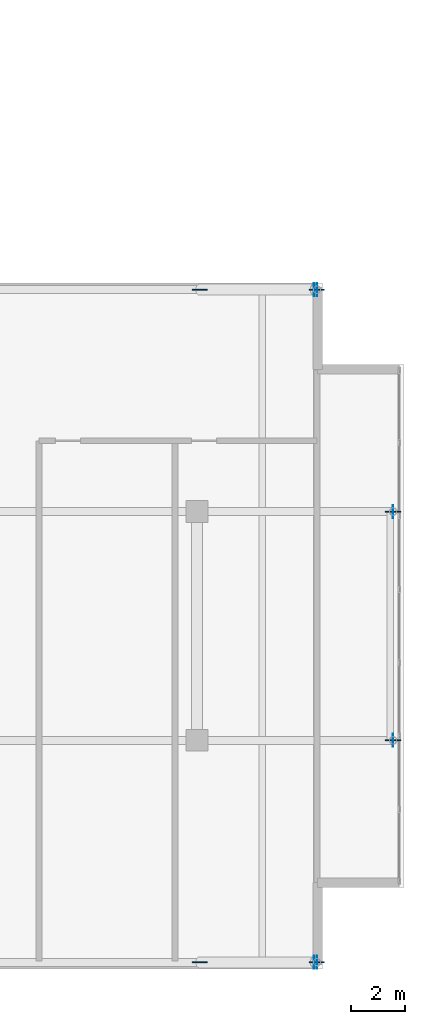
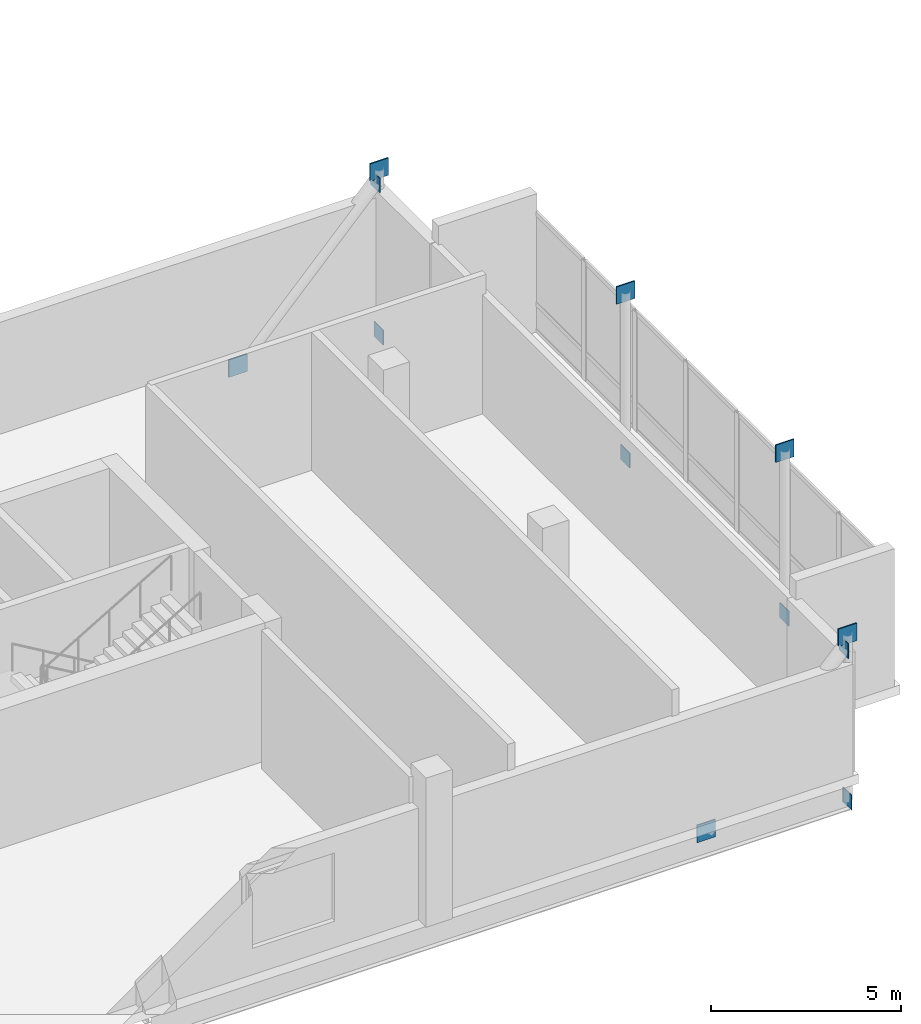
# One storey, part 9 of 18: 12 plates.
"""IFC4 building model written with IfcOpenShell, lengths in metres."""

import ifcopenshell
import ifcopenshell.guid

model = None  # the IFC model being written
_history = None  # IfcOwnerHistory: only IFC2X3 demands one
_inside = {}  # id of a spatial element -> (the spatial element, [elements in it])
_under = {}  # id of a project, library or spatial element -> (it, [spatial elements below it])
_declared = {}  # id of a project -> (the project, [libraries it declares])
_typed = {}  # id of a type object -> (the type object, [elements of that type])
_made_of = {}  # id of a material, layer set ... -> (it, [elements and type objects made of it])


def new_model(schema):
    """Start an empty IFC model of exactly this schema.

    Asked for "IFC4X3", IfcOpenShell would pick the latest addendum, in which some entities
    have other attributes; the version numbers below select the first issue.
    IFC2X3 requires an IfcOwnerHistory on every rooted entity: one is made here for all.
    """
    global model, _history
    if schema == "IFC4X3":
        model = ifcopenshell.file(schema_version=(4, 3, 0, 0))
    else:
        model = ifcopenshell.file(schema=schema)
    _inside.clear()
    _under.clear()
    _declared.clear()
    _typed.clear()
    _made_of.clear()
    _history = None
    if model.schema == "IFC2X3":
        org = make("IfcOrganization", Name="unknown")
        user = make(
            "IfcPersonAndOrganization",
            ThePerson=make("IfcPerson", FamilyName="unknown"),
            TheOrganization=org,
        )
        app = make(
            "IfcApplication",
            ApplicationDeveloper=org,
            Version="unknown",
            ApplicationFullName="unknown",
            ApplicationIdentifier="unknown",
        )
        _history = make(
            "IfcOwnerHistory",
            OwningUser=user,
            OwningApplication=app,
            ChangeAction="ADDED",
            CreationDate=0,
        )
    return model


def make(cls, **values):
    """One entity of the class cls with the attributes given. An attribute that is None is left unset."""
    return model.create_entity(
        cls, **{name: value for name, value in values.items() if value is not None}
    )


def rooted(cls, **values):
    """An entity with a GlobalId (a new one), such as an element, a storey or a relation."""
    return make(cls, GlobalId=ifcopenshell.guid.new(), OwnerHistory=_history, **values)


def si_unit(unit_type, name, prefix=None):
    """IfcSIUnit, for example si_unit("LENGTHUNIT", "METRE", prefix="MILLI")."""
    return make("IfcSIUnit", UnitType=unit_type, Prefix=prefix, Name=name)


def assignment(units):
    """IfcUnitAssignment: the units of a project."""
    return None if units is None else make("IfcUnitAssignment", Units=units)


def point(xyz):
    """IfcCartesianPoint."""
    return None if xyz is None else make("IfcCartesianPoint", Coordinates=xyz)


def direction(xyz):
    """IfcDirection."""
    return None if xyz is None else make("IfcDirection", DirectionRatios=xyz)


def frame(location, z_axis=None, x_axis=None):
    """IfcAxis2Placement3D, a coordinate frame: its origin and axes. An axis left out is left unset."""
    return make(
        "IfcAxis2Placement3D",
        Location=point(location),
        Axis=direction(z_axis),
        RefDirection=direction(x_axis),
    )


def frame_2d(location, x_axis=None):
    """IfcAxis2Placement2D, a coordinate frame in the plane: its origin and x axis."""
    return make(
        "IfcAxis2Placement2D", Location=point(location), RefDirection=direction(x_axis)
    )


def origin():
    """The frame at (0, 0, 0) with its axes left unset."""
    return frame((0.0, 0.0, 0.0))


def origin_2d():
    """The frame at (0, 0) in the plane with its x axis left unset."""
    return frame_2d((0.0, 0.0))


def place(relative_to, where):
    """IfcLocalPlacement: puts the frame where relative to a parent placement (None: the world)."""
    return make(
        "IfcLocalPlacement", PlacementRelTo=relative_to, RelativePlacement=where
    )


def context(
    kind, dimensions, precision=None, world=None, true_north=None, identifier=None
):
    """IfcGeometricRepresentationContext, for example the 3D "Model" context."""
    return make(
        "IfcGeometricRepresentationContext",
        ContextIdentifier=identifier,
        ContextType=kind,
        CoordinateSpaceDimension=dimensions,
        Precision=precision,
        WorldCoordinateSystem=world,
        TrueNorth=true_north,
    )


def subcontext(parent, identifier, kind, view, scale=None):
    """IfcGeometricRepresentationSubContext, for example "Body" below "Model"."""
    return make(
        "IfcGeometricRepresentationSubContext",
        ContextIdentifier=identifier,
        ContextType=kind,
        ParentContext=parent,
        TargetScale=scale,
        TargetView=view,
    )


def project(units=None, contexts=None):
    """IfcProject with its units and contexts."""
    return rooted(
        "IfcProject",
        Name="project",
        RepresentationContexts=contexts,
        UnitsInContext=assignment(units),
    )


def spatial(cls, under=None, at=None, **own):
    """A site, building, storey or space (cls), placed at a placement, below another one or the project."""
    s = rooted(cls, ObjectPlacement=at, **own)
    if under is not None:
        _under.setdefault(under.id(), (under, []))[1].append(s)
    return s


def profile(cls, at=None, kind="AREA", **sizes):
    """A parametric profile (cls). Its sizes go by their IFC names, for example OverallWidth=200.0."""
    return make(cls, ProfileType=kind, Position=at, **sizes)


def rectangle(**sizes):
    """IfcRectangleProfileDef."""
    return profile("IfcRectangleProfileDef", **sizes)


def extrude(swept, where, along, depth):
    """IfcExtrudedAreaSolid: the profile swept, set in the frame where, extruded along a direction by depth."""
    return make(
        "IfcExtrudedAreaSolid",
        SweptArea=swept,
        Position=where,
        ExtrudedDirection=direction(along),
        Depth=depth,
    )


def shape(context_of_items, identifier, shape_type, items):
    """IfcShapeRepresentation: the items that make up one representation, for example the "Body"."""
    return make(
        "IfcShapeRepresentation",
        ContextOfItems=context_of_items,
        RepresentationIdentifier=identifier,
        RepresentationType=shape_type,
        Items=items,
    )


def material(Name=None, Category=None):
    """IfcMaterial."""
    return make("IfcMaterial", Name=Name, Category=Category)


def layer(
    of_material, thickness, ventilated=None, Name=None, Category=None, Priority=None
):
    """IfcMaterialLayer: one layer of a wall or slab, of a material (None: an air gap)."""
    return make(
        "IfcMaterialLayer",
        Material=of_material,
        LayerThickness=thickness,
        IsVentilated=ventilated,
        Name=Name,
        Category=Category,
        Priority=Priority,
    )


def layer_set(layers, Name=None):
    """IfcMaterialLayerSet."""
    return make("IfcMaterialLayerSet", MaterialLayers=layers, LayerSetName=Name)


def made_of(thing, what):
    """Note that an element or type object is made of a material, layer set ...; save() writes the relation."""
    if what is not None:
        _made_of.setdefault(what.id(), (what, []))[1].append(thing)
    return thing


def type_object(cls, material=None, **own):
    """A type object (cls), such as IfcWallType, which elements share."""
    return made_of(rooted(cls, **own), material)


def element(
    cls,
    number,
    at=None,
    inside=None,
    cuts=None,
    type_object=None,
    material=None,
    context=None,
    identifier="Body",
    shape_type=None,
    held_by="IfcProductDefinitionShape",
    body=None,
    shapes=None,
    **own,
):
    """One element of the class cls, such as IfcWall. Its Tag is "e" and its number.

    at: its placement. inside: the storey or other place that contains it. cuts: it is an
    opening in that element (IfcRelVoidsElement). A single representation is given by context,
    identifier, shape_type and body (its items); several are given by shapes. held_by: the class
    of the entity that holds the representations. save() writes the other relations.
    """
    e = rooted(cls, Tag="e%d" % number, ObjectPlacement=at, **own)
    if body is not None:
        shapes = [shape(context, identifier, shape_type, body)]
    if shapes is not None:
        e.Representation = make(held_by, Representations=shapes)
    if inside is not None:
        _inside.setdefault(inside.id(), (inside, []))[1].append(e)
    if cuts is not None:
        rooted(
            "IfcRelVoidsElement", RelatingBuildingElement=cuts, RelatedOpeningElement=e
        )
    if type_object is not None:
        _typed.setdefault(type_object.id(), (type_object, []))[1].append(e)
    return made_of(e, material)


def aggregate(whole, parts):
    """IfcRelAggregates: a whole, such as a stair, and the parts it consists of."""
    return rooted("IfcRelAggregates", RelatingObject=whole, RelatedObjects=parts)


def save(model, path):
    """Write the relations noted so far, then the file.

    IfcRelAggregates (storeys below a building ...), IfcRelContainedInSpatialStructure (elements
    in a storey), IfcRelDefinesByType, IfcRelAssociatesMaterial and IfcRelDeclares: one each for
    every whole, place, type object, material and project.
    """
    for whole, parts in _under.values():
        aggregate(whole, parts)
    for where, things in _inside.values():
        rooted(
            "IfcRelContainedInSpatialStructure",
            RelatedElements=things,
            RelatingStructure=where,
        )
    for kind, things in _typed.values():
        rooted("IfcRelDefinesByType", RelatedObjects=things, RelatingType=kind)
    for what, things in _made_of.values():
        rooted("IfcRelAssociatesMaterial", RelatedObjects=things, RelatingMaterial=what)
    for by, libraries in _declared.values():
        rooted("IfcRelDeclares", RelatingContext=by, RelatedDefinitions=libraries)
    model.write(path)


model = new_model("IFC4")

# Units and contexts
model_context = context("Model", 3, precision=1e-05, world=origin(), true_north=direction((0.0, 1.0)))
body_context = subcontext(model_context, "Body", "Model", "MODEL_VIEW")
ifc_project = project(units=[si_unit("LENGTHUNIT", "METRE"), si_unit("AREAUNIT", "SQUARE_METRE"), si_unit("VOLUMEUNIT", "CUBIC_METRE"), si_unit("PLANEANGLEUNIT", "RADIAN"), si_unit("MASSUNIT", "GRAM", prefix="KILO")], contexts=[model_context])

# Site, building, storey
site_placement = place(None, origin())
site = spatial("IfcSite", under=ifc_project, at=site_placement, CompositionType="ELEMENT")
building_placement = place(site_placement, origin())
building = spatial("IfcBuilding", under=site, at=building_placement, Name="Koriwani Terraces Tower", CompositionType="ELEMENT")
storey_placement = place(building_placement, frame((0.0, 0.0, 363.800048828125)))
storey = spatial("IfcBuildingStorey", under=building, at=storey_placement, Name="L90", CompositionType="ELEMENT", Elevation=363.800048828125)

# Plates
ifc_material = material(Name="Steel ASTM A572 Grade 50", Category="steel")
ifc_layer_1 = layer(ifc_material, 0.02490234375, Name="Steel ASTM A572 Grade 50")
ifc_layer_set_1 = layer_set([ifc_layer_1], Name="Steel ASTM A572 Grade 50")
plate_type_1 = type_object("IfcPlateType", Name="STEEL_CAP_PLATE_25", PredefinedType="USERDEFINED", material=ifc_layer_set_1)
for number, where, z_axis, x_axis, name in (
    (1, (74.39990234375, 16.800048828125, -1.10009765625), (0.0, 0.0, 1.0), (1.0, 0.0, 0.0), "Brace End Cap Plate SKYC-TP-1"),
    (2, (74.39990234375, 25.199951171875, -1.10009765625), (0.0, 0.0, 1.0), (1.0, 0.0, 0.0), "Brace End Cap Plate SKYC-TP-2"),
    (3, (71.60009765625, 8.64990234375, -1.10009765625), (0.0, 0.0, 1.0), (1.0, 0.0, 0.0), "Brace End Cap Plate SKYC-TP-3"),
    (4, (71.60009765625, 33.35009765625, -1.10009765625), (0.0, 0.0, 1.0), (1.0, 0.0, 0.0), "Brace End Cap Plate SKYC-TP-4"),
    (5, (71.5, 8.64990234375, 3.81005859375), (0.0, 0.0, 1.0), (1.0, 0.0, 0.0), "L90 Cantilever Strut Cap Plate S1"),
    (6, (71.5, 33.35009765625, 3.81005859375), (0.0, 0.0, 1.0), (1.0, 0.0, 0.0), "L90 Cantilever Strut Cap Plate N1"),
):
    element("IfcPlate", number, at=place(storey_placement, frame(where, z_axis=z_axis, x_axis=x_axis)), inside=storey, type_object=plate_type_1, Name=name, ObjectType="FLANGE_PLATE", PredefinedType="USERDEFINED", context=body_context, shape_type="SweptSolid", body=[
        extrude(rectangle(XDim=0.02490234375, YDim=0.47998046875, at=origin_2d()), origin(), (0.0, 0.0, 1.0), 0.47998046875),
    ])
ifc_layer_2 = layer(ifc_material, 0.0400390625, Name="Steel ASTM A572 Grade 50")
ifc_layer_set_2 = layer_set([ifc_layer_2], Name="Steel ASTM A572 Grade 50")
plate_type_2 = type_object("IfcPlateType", Name="STEEL_GUSSET_PLATE_40", PredefinedType="USERDEFINED", material=ifc_layer_set_2)
for number, where, z_axis, x_axis, name in (
    (7, (74.39990234375, 16.800048828125, 4.1298828125), (0.0, 0.0, 1.0), (1.0, 0.0, 0.0), "Brace Node Gusset Plate SKYC-TP-1"),
    (8, (74.39990234375, 25.199951171875, 4.1298828125), (0.0, 0.0, 1.0), (1.0, 0.0, 0.0), "Brace Node Gusset Plate SKYC-TP-2"),
    (9, (71.60009765625, 8.64990234375, 4.1298828125), (0.0, 0.0, 1.0), (1.0, 0.0, 0.0), "Brace Node Gusset Plate SKYC-TP-3"),
    (10, (71.60009765625, 33.35009765625, 4.1298828125), (0.0, 0.0, 1.0), (1.0, 0.0, 0.0), "Brace Node Gusset Plate SKYC-TP-4"),
    (11, (67.300048828125, 8.64990234375, -0.68017578125), (0.0, 0.0, 1.0), (1.0, 0.0, 0.0), "L90 Cantilever Strut Node Gusset Plate S1"),
    (12, (67.300048828125, 33.35009765625, -0.68017578125), (0.0, 0.0, 1.0), (1.0, 0.0, 0.0), "L90 Cantilever Strut Node Gusset Plate N1"),
):
    element("IfcPlate", number, at=place(storey_placement, frame(where, z_axis=z_axis, x_axis=x_axis)), inside=storey, type_object=plate_type_2, Name=name, ObjectType="GUSSET_PLATE", PredefinedType="USERDEFINED", context=body_context, shape_type="SweptSolid", body=[
        extrude(rectangle(XDim=0.56005859375, YDim=0.0400390625, at=origin_2d()), origin(), (0.0, 0.0, 1.0), 0.56005859375),
    ])

save(model, "model.ifc")
